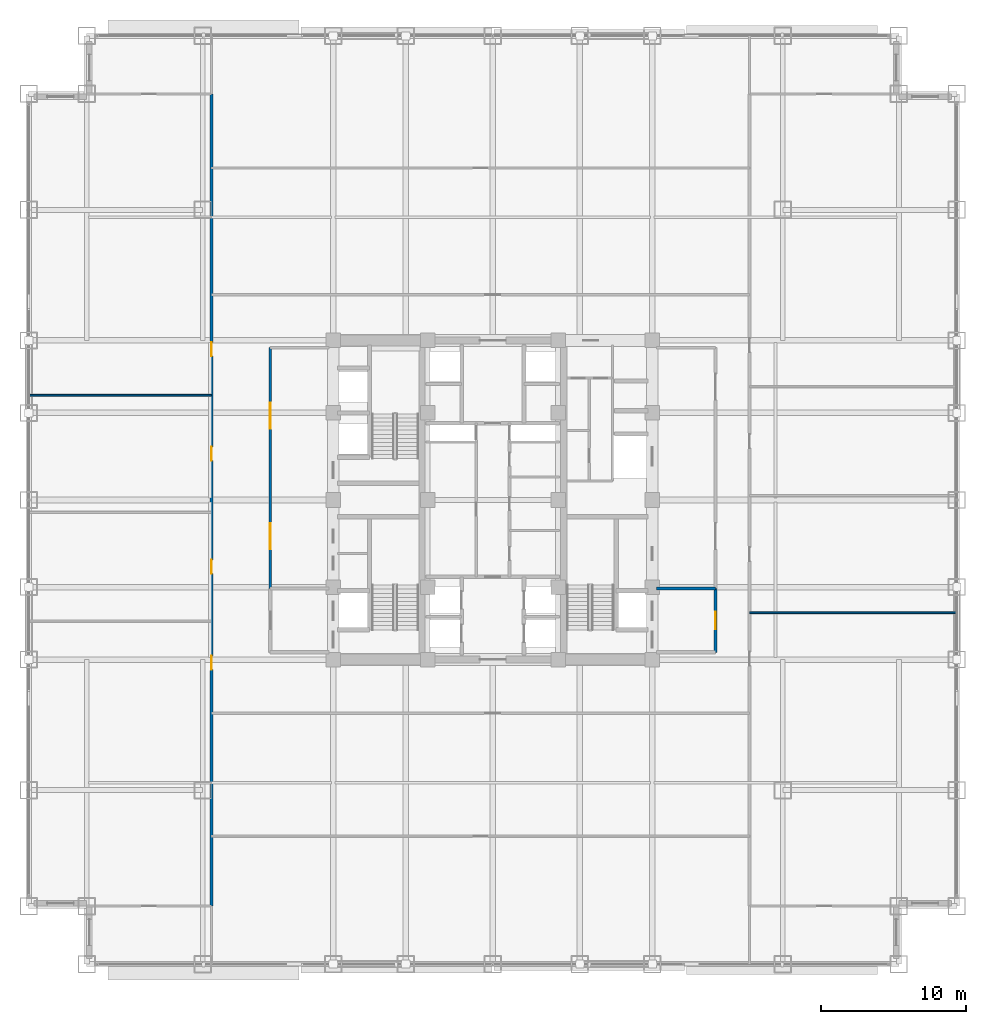
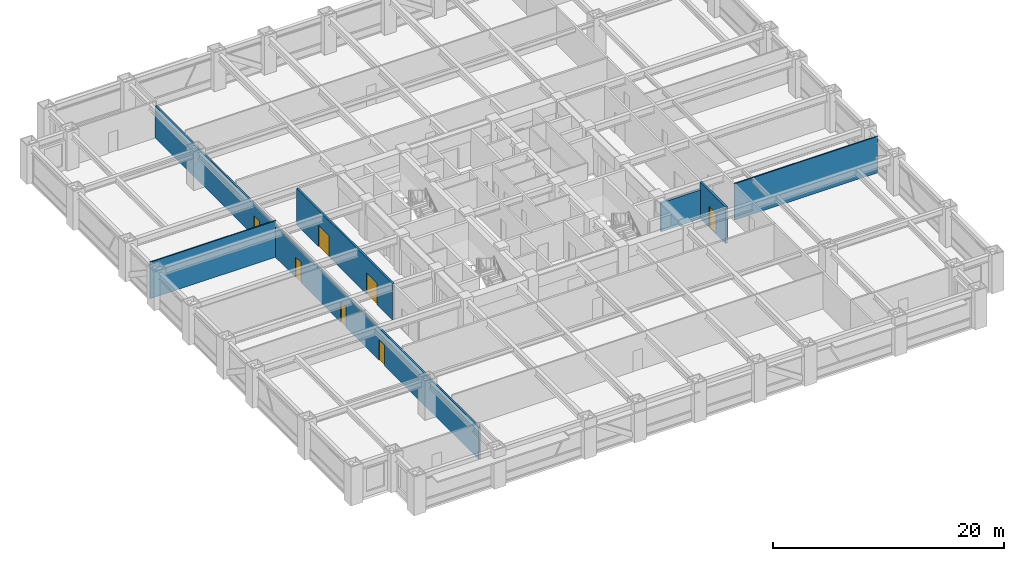
# One storey, part 24 of 32: 7 doors, 6 walls, 7 openings.
"""IFC4 building model written with IfcOpenShell, lengths in metres."""

from ifc_helpers import new_model, si_unit, direction, frame, frame_2d, origin, place, context, subcontext, project, spatial, rectangle, extrude, source, transform, mapped, material, layer, layer_set, type_object, element, fill, save


model = new_model("IFC4")

# Units and contexts
model_context = context("Model", 3, precision=1e-05, world=origin(), true_north=direction((0.0, 1.0)))
body_context = subcontext(model_context, "Body", "Model", "MODEL_VIEW")
ifc_project = project(units=[si_unit("LENGTHUNIT", "METRE"), si_unit("AREAUNIT", "SQUARE_METRE"), si_unit("VOLUMEUNIT", "CUBIC_METRE"), si_unit("PLANEANGLEUNIT", "RADIAN"), si_unit("MASSUNIT", "GRAM", prefix="KILO")], contexts=[model_context])

# Site, building, storey
site_placement = place(None, origin())
site = spatial("IfcSite", under=ifc_project, at=site_placement, CompositionType="ELEMENT")
building_placement = place(site_placement, origin())
building = spatial("IfcBuilding", under=site, at=building_placement, Name="Khorayat Bourse Tower", CompositionType="ELEMENT")
storey_placement = place(building_placement, frame((0.0, 0.0, 95.5)))
storey = spatial("IfcBuildingStorey", under=building, at=storey_placement, Name="L21", CompositionType="ELEMENT", Elevation=95.5)

# Wall, opening, door
ifc_material_1 = material(Name="Aerated concrete blockwork", Category="masonry")
ifc_layer_1 = layer(ifc_material_1, 0.219970703125)
ifc_layer_set_1 = layer_set([ifc_layer_1], Name="Aerated concrete blockwork")
wall_type_1 = type_object("IfcWallType", Name="WAL-PART-FF-220", PredefinedType="PARTITIONING", material=ifc_layer_set_1)
shared_shape_1 = source(origin(), body_context, "Body", "SweptSolid", [
    extrude(rectangle(XDim=4.39990234375, YDim=0.219970703125, at=frame_2d((2.199951171875, 0.0))), origin(), (0.0, 0.0, 1.0), 3.840087890625),
])
wall_1_placement = place(storey_placement, frame((15.35009765625, -10.5, 0.0), z_axis=(0.0, 0.0, 1.0), x_axis=(0.0, 1.0, 0.0)))
wall_1 = element("IfcWall", 1, at=wall_1_placement, inside=storey, type_object=wall_type_1, Name="L21 Partition WAL-L21-FFLE-E", PredefinedType="PARTITIONING", context=body_context, shape_type="MappedRepresentation", body=[
    mapped(shared_shape_1, transform((0.0, 0.0, 0.0), scale=1.0)),
])
shared_shape_2 = source(origin(), body_context, "Body", "SweptSolid", [
    extrude(rectangle(XDim=1.199951171875, YDim=2.199951171875, at=frame_2d((0.60009765625, 1.10009765625))), frame((0.0, 0.119873046875, 0.0), z_axis=(0.0, -1.0, 0.0), x_axis=(1.0, 0.0, 0.0)), (0.0, 0.0, 1.0), 0.239990234375),
])
opening_1_placement = place(wall_1_placement, frame((1.60009765625, 0.0, 0.0)))
opening_1 = element("IfcOpeningElement", 2, at=opening_1_placement, cuts=wall_1, Name="Opening DI-02", PredefinedType="OPENING", context=body_context, shape_type="MappedRepresentation", body=[
    mapped(shared_shape_2, transform((0.0, 0.0, 0.0), scale=1.0)),
])
ifc_material_2 = material(Name="Fire-rated steel double-seal leaf", Category="steel")
door_type_1 = type_object("IfcDoorType", Name="DR-INT-FFLOBBY-1200", OperationType="NOTDEFINED", PredefinedType="DOOR", material=ifc_material_2)
shared_shape_3 = source(origin(), body_context, "Body", "SweptSolid", [
    extrude(rectangle(XDim=1.199951171875, YDim=2.199951171875, at=frame_2d((0.60009765625, 1.10009765625))), frame((0.0, 0.02490234375, 0.0), z_axis=(0.0, -1.0, 0.0), x_axis=(1.0, 0.0, 0.0)), (0.0, 0.0, 1.0), 0.050048828125),
])
door_1_placement = place(opening_1_placement, origin())
door_1 = element("IfcDoor", 3, at=door_1_placement, inside=storey, type_object=door_type_1, Name="L21 East Firefighting Lobby Door", OperationType="SINGLE_SWING_RIGHT", OverallHeight=2.199951171875, OverallWidth=1.199951171875, PredefinedType="DOOR", context=body_context, shape_type="MappedRepresentation", body=[
    mapped(shared_shape_3, transform((0.0, 0.0, 0.0), scale=1.0)),
])
fill(opening_1, door_1)

# Wall, openings, doors
ifc_material_3 = material(Name="Gypsum plasterboard acoustic stud wall")
ifc_layer_2 = layer(ifc_material_3, 0.179931640625)
ifc_layer_set_2 = layer_set([ifc_layer_2], Name="Gypsum plasterboard acoustic stud wall")
wall_type_2 = type_object("IfcWallType", Name="WAL-PART-CORR-180", PredefinedType="PARTITIONING", material=ifc_layer_set_2)
shared_shape_4 = source(origin(), body_context, "Body", "SweptSolid", [
    extrude(rectangle(XDim=16.60009765625, YDim=0.179931640625, at=frame_2d((8.300048828125, 0.0))), origin(), (0.0, 0.0, 1.0), 3.840087890625),
])
wall_2_placement = place(storey_placement, frame((-15.35009765625, -6.10009765625, 0.0), z_axis=(0.0, 0.0, 1.0), x_axis=(0.0, 1.0, 0.0)))
wall_2 = element("IfcWall", 4, at=wall_2_placement, inside=storey, type_object=wall_type_2, Name="L21 Partition WAL-L21-WLOB-W", PredefinedType="PARTITIONING", context=body_context, shape_type="MappedRepresentation", body=[
    mapped(shared_shape_4, transform((0.0, 0.0, 0.0), scale=1.0)),
])
shared_shape_5 = source(origin(), body_context, "Body", "SweptSolid", [
    extrude(rectangle(XDim=1.800048828125, YDim=2.25, at=frame_2d((0.89990234375, 1.125))), frame((0.0, 0.099853515625, 0.0), z_axis=(0.0, -1.0, 0.0), x_axis=(1.0, 0.0, 0.0)), (0.0, 0.0, 1.0), 0.199951171875),
])
opening_2_placement = place(wall_2_placement, frame((2.699951171875, 0.0, 0.0)))
opening_2 = element("IfcOpeningElement", 5, at=opening_2_placement, cuts=wall_2, Name="Opening DI-03", PredefinedType="OPENING", context=body_context, shape_type="MappedRepresentation", body=[
    mapped(shared_shape_5, transform((0.0, 0.0, 0.0), scale=1.0)),
])
opening_3_placement = place(wall_2_placement, frame((11.0, 0.0, 0.0)))
opening_3 = element("IfcOpeningElement", 6, at=opening_3_placement, cuts=wall_2, Name="Opening DI-03", PredefinedType="OPENING", context=body_context, shape_type="MappedRepresentation", body=[
    mapped(shared_shape_5, transform((0.0, 0.0, 0.0), scale=1.0)),
])
ifc_material_4 = material(Name="Fire-rated hardwood vision-panel double leaf", Category="wood")
door_type_2 = type_object("IfcDoorType", Name="DR-INT-CORR-1800", OperationType="NOTDEFINED", PredefinedType="DOOR", material=ifc_material_4)
shared_shape_6 = source(origin(), body_context, "Body", "SweptSolid", [
    extrude(rectangle(XDim=1.800048828125, YDim=2.25, at=frame_2d((0.89990234375, 1.125))), frame((0.0, 0.02490234375, 0.0), z_axis=(0.0, -1.0, 0.0), x_axis=(1.0, 0.0, 0.0)), (0.0, 0.0, 1.0), 0.050048828125),
])
door_2_placement = place(opening_2_placement, origin())
door_2 = element("IfcDoor", 7, at=door_2_placement, inside=storey, type_object=door_type_2, Name="L21 West Core Lobby South Door", OperationType="SINGLE_SWING_LEFT", OverallHeight=2.25, OverallWidth=1.800048828125, PredefinedType="DOOR", context=body_context, shape_type="MappedRepresentation", body=[
    mapped(shared_shape_6, transform((0.0, 0.0, 0.0), scale=1.0)),
])
fill(opening_2, door_2)
door_3_placement = place(opening_3_placement, origin())
door_3 = element("IfcDoor", 8, at=door_3_placement, inside=storey, type_object=door_type_2, Name="L21 West Core Lobby North Door", OperationType="SINGLE_SWING_RIGHT", OverallHeight=2.25, OverallWidth=1.800048828125, PredefinedType="DOOR", context=body_context, shape_type="MappedRepresentation", body=[
    mapped(shared_shape_6, transform((0.0, 0.0, 0.0), scale=1.0)),
])
fill(opening_3, door_3)

# Wall
ifc_material_5 = material(Name="Gypsum plasterboard partition")
ifc_layer_3 = layer(ifc_material_5, 0.125)
ifc_layer_set_3 = layer_set([ifc_layer_3], Name="Gypsum plasterboard partition")
wall_type_3 = type_object("IfcWallType", Name="WAL-PART-ROOM-125", PredefinedType="PARTITIONING", material=ifc_layer_set_3)
shared_shape_7 = source(origin(), body_context, "Body", "SweptSolid", [
    extrude(rectangle(XDim=12.60009765625, YDim=0.125, at=frame_2d((6.300048828125, 0.0))), origin(), (0.0, 0.0, 1.0), 3.840087890625),
])
wall_3_placement = place(storey_placement, frame((-32.0, 7.22607421875, 0.0), z_axis=(0.0, 0.0, 1.0), x_axis=(1.0, 0.0, 0.0)))
element("IfcWall", 9, at=wall_3_placement, inside=storey, type_object=wall_type_3, Name="L21 Partition WAL-L21-WDV-3", PredefinedType="PARTITIONING", context=body_context, shape_type="MappedRepresentation", body=[
    mapped(shared_shape_7, transform((0.0, 0.0, 0.0), scale=1.0)),
])

# Wall, openings, doors
shared_shape_8 = source(origin(), body_context, "Body", "SweptSolid", [
    extrude(rectangle(XDim=56.0, YDim=0.179931640625, at=frame_2d((28.0, 0.0))), origin(), (0.0, 0.0, 1.0), 3.37109375),
])
wall_4_placement = place(storey_placement, frame((-19.39990234375, -28.0, 0.0), z_axis=(0.0, 0.0, 1.0), x_axis=(0.0, 1.0, 0.0)))
wall_4 = element("IfcWall", 10, at=wall_4_placement, inside=storey, type_object=wall_type_2, Name="L21 Partition WAL-L21-WCORR", PredefinedType="PARTITIONING", context=body_context, shape_type="MappedRepresentation", body=[
    mapped(shared_shape_8, transform((0.0, 0.0, 0.0), scale=1.0)),
])
shared_shape_9 = source(origin(), body_context, "Body", "SweptSolid", [
    extrude(rectangle(XDim=0.949951171875, YDim=2.14990234375, at=frame_2d((0.47509765625, 1.074951171875))), frame((0.0, 0.099853515625, 0.0), z_axis=(0.0, -1.0, 0.0), x_axis=(1.0, 0.0, 0.0)), (0.0, 0.0, 1.0), 0.199951171875),
])
opening_4_placement = place(wall_4_placement, frame((16.298583984375, 0.0, 0.0)))
opening_4 = element("IfcOpeningElement", 11, at=opening_4_placement, cuts=wall_4, Name="Opening DI-05", PredefinedType="OPENING", context=body_context, shape_type="MappedRepresentation", body=[
    mapped(shared_shape_9, transform((0.0, 0.0, 0.0), scale=1.0)),
])
opening_5_placement = place(wall_4_placement, frame((22.922607421875, 0.0, 0.0)))
opening_5 = element("IfcOpeningElement", 12, at=opening_5_placement, cuts=wall_4, Name="Opening DI-05", PredefinedType="OPENING", context=body_context, shape_type="MappedRepresentation", body=[
    mapped(shared_shape_9, transform((0.0, 0.0, 0.0), scale=1.0)),
])
opening_6_placement = place(wall_4_placement, frame((30.7119140625, 0.0, 0.0)))
opening_6 = element("IfcOpeningElement", 13, at=opening_6_placement, cuts=wall_4, Name="Opening DI-05", PredefinedType="OPENING", context=body_context, shape_type="MappedRepresentation", body=[
    mapped(shared_shape_9, transform((0.0, 0.0, 0.0), scale=1.0)),
])
opening_7_placement = place(wall_4_placement, frame((37.9130859375, 0.0, 0.0)))
opening_7 = element("IfcOpeningElement", 14, at=opening_7_placement, cuts=wall_4, Name="Opening DI-05", PredefinedType="OPENING", context=body_context, shape_type="MappedRepresentation", body=[
    mapped(shared_shape_9, transform((0.0, 0.0, 0.0), scale=1.0)),
])
ifc_material_6 = material(Name="Acoustic oak veneer office door")
door_type_3 = type_object("IfcDoorType", Name="DR-INT-OFFICE-950", OperationType="NOTDEFINED", PredefinedType="DOOR", material=ifc_material_6)
shared_shape_10 = source(origin(), body_context, "Body", "SweptSolid", [
    extrude(rectangle(XDim=0.949951171875, YDim=2.14990234375, at=frame_2d((0.47509765625, 1.074951171875))), frame((0.0, 0.02490234375, 0.0), z_axis=(0.0, -1.0, 0.0), x_axis=(1.0, 0.0, 0.0)), (0.0, 0.0, 1.0), 0.050048828125),
])
door_4_placement = place(opening_4_placement, origin())
door_4 = element("IfcDoor", 15, at=door_4_placement, inside=storey, type_object=door_type_3, Name="L21 Members Dining Room W1 Door", OperationType="SINGLE_SWING_RIGHT", OverallHeight=2.14990234375, OverallWidth=0.949951171875, PredefinedType="DOOR", context=body_context, shape_type="MappedRepresentation", body=[
    mapped(shared_shape_10, transform((0.0, 0.0, 0.0), scale=1.0)),
])
fill(opening_4, door_4)
door_5_placement = place(opening_5_placement, origin())
door_5 = element("IfcDoor", 16, at=door_5_placement, inside=storey, type_object=door_type_3, Name="L21 Catering Servery Kitchen W2 Door", OperationType="SINGLE_SWING_LEFT", OverallHeight=2.14990234375, OverallWidth=0.949951171875, PredefinedType="DOOR", context=body_context, shape_type="MappedRepresentation", body=[
    mapped(shared_shape_10, transform((0.0, 0.0, 0.0), scale=1.0)),
])
fill(opening_5, door_5)
door_6_placement = place(opening_6_placement, origin())
door_6 = element("IfcDoor", 17, at=door_6_placement, inside=storey, type_object=door_type_3, Name="L21 Staff Tea Pantry W3 Door", OperationType="SINGLE_SWING_RIGHT", OverallHeight=2.14990234375, OverallWidth=0.949951171875, PredefinedType="DOOR", context=body_context, shape_type="MappedRepresentation", body=[
    mapped(shared_shape_10, transform((0.0, 0.0, 0.0), scale=1.0)),
])
fill(opening_6, door_6)
door_7_placement = place(opening_7_placement, origin())
door_7 = element("IfcDoor", 18, at=door_7_placement, inside=storey, type_object=door_type_3, Name="L21 Public Washrooms and Restrooms W4 Door", OperationType="SINGLE_SWING_LEFT", OverallHeight=2.14990234375, OverallWidth=0.949951171875, PredefinedType="DOOR", context=body_context, shape_type="MappedRepresentation", body=[
    mapped(shared_shape_10, transform((0.0, 0.0, 0.0), scale=1.0)),
])
fill(opening_7, door_7)

# Walls
shared_shape_11 = source(origin(), body_context, "Body", "SweptSolid", [
    extrude(rectangle(XDim=14.300048828125, YDim=0.125, at=frame_2d((7.14990234375, 0.0))), origin(), (0.0, 0.0, 1.0), 3.840087890625),
])
wall_5_placement = place(storey_placement, frame((17.699951171875, -7.77587890625, 0.0), z_axis=(0.0, 0.0, 1.0), x_axis=(1.0, 0.0, 0.0)))
element("IfcWall", 19, at=wall_5_placement, inside=storey, type_object=wall_type_3, Name="L21 Partition WAL-L21-EDV-1", PredefinedType="PARTITIONING", context=body_context, shape_type="MappedRepresentation", body=[
    mapped(shared_shape_11, transform((0.0, 0.0, 0.0), scale=1.0)),
])
shared_shape_12 = source(origin(), body_context, "Body", "SweptSolid", [
    extrude(rectangle(XDim=4.050048828125, YDim=0.219970703125, at=frame_2d((2.02490234375, 0.0))), origin(), (0.0, 0.0, 1.0), 3.06689453125),
])
wall_6_placement = place(storey_placement, frame((11.300048828125, -6.10009765625, 0.0), z_axis=(0.0, 0.0, 1.0), x_axis=(1.0, 0.0, 0.0)))
element("IfcWall", 20, at=wall_6_placement, inside=storey, type_object=wall_type_1, Name="L21 Partition WAL-L21-FFLE-N", PredefinedType="PARTITIONING", context=body_context, shape_type="MappedRepresentation", body=[
    mapped(shared_shape_12, transform((0.0, 0.0, 0.0), scale=1.0)),
])

save(model, "model.ifc")
